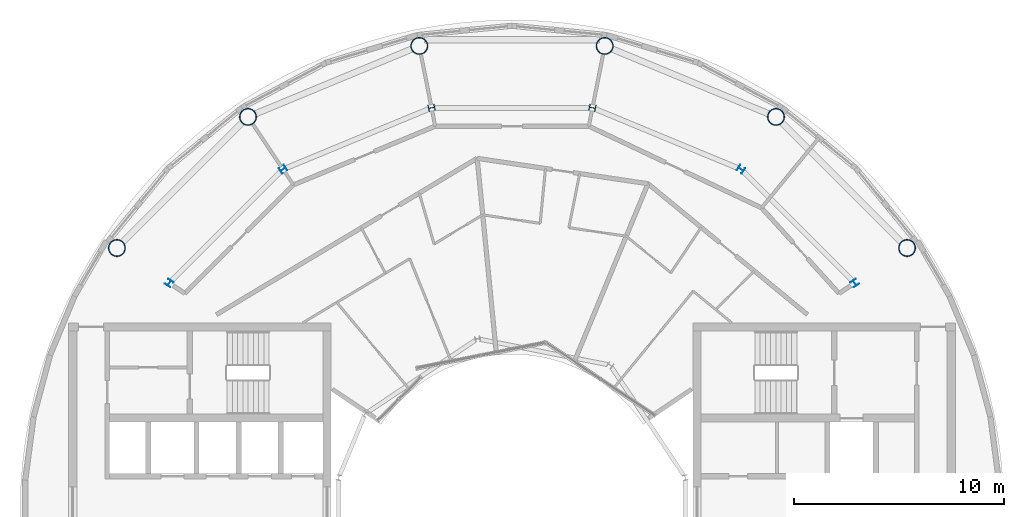
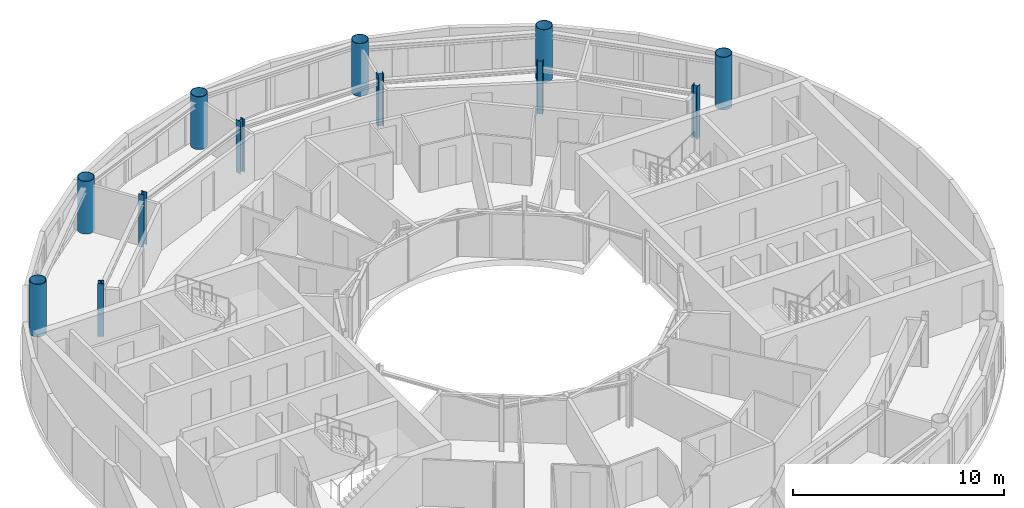
# One storey, part 4 of 17: 12 columns.
"""IFC4 building model written with IfcOpenShell, lengths in metres."""

from ifc_helpers import new_model, si_unit, direction, frame, origin, origin_2d, place, context, subcontext, project, spatial, hollow_circle, i_section, extrude, material, material_profile, profile_set, type_object, element, save


model = new_model("IFC4")

# Units and contexts
model_context = context("Model", 3, precision=1e-05, world=origin(), true_north=direction((0.0, 1.0)))
body_context = subcontext(model_context, "Body", "Model", "MODEL_VIEW")
ifc_project = project(units=[si_unit("LENGTHUNIT", "METRE"), si_unit("AREAUNIT", "SQUARE_METRE"), si_unit("VOLUMEUNIT", "CUBIC_METRE"), si_unit("PLANEANGLEUNIT", "RADIAN"), si_unit("MASSUNIT", "GRAM", prefix="KILO")], contexts=[model_context])

# Site, building, storey
site_placement = place(None, origin())
site = spatial("IfcSite", under=ifc_project, at=site_placement, CompositionType="ELEMENT")
building_placement = place(site_placement, origin())
building = spatial("IfcBuilding", under=site, at=building_placement, Name="Maasbend Ring Residences", CompositionType="ELEMENT")
storey_placement = place(building_placement, frame((0.0, 0.0, 249.300048828125)))
storey = spatial("IfcBuildingStorey", under=building, at=storey_placement, Name="L72", CompositionType="ELEMENT", Elevation=249.300048828125)

# Columns
ifc_material_1 = material(Name="Composite concrete-filled steel tube S460NH / C80/95", Category="concrete")
ifc_material_profile_1 = material_profile(ifc_material_1, hollow_circle(Radius=0.406494140625, WallThickness=0.030029296875, at=origin_2d()), Name="Composite tube column CHS 813x30")
ifc_profile_set_1 = profile_set([ifc_material_profile_1], Name="Composite concrete-filled steel tube S460NH / C80/95")
column_type_1 = type_object("IfcColumnType", Name="Composite tube column CHS 813x30", PredefinedType="COLUMN", material=ifc_profile_set_1)
for number, where, z_axis, x_axis, name in (
    (1, (18.791259765625, 12.555908203125, 0.0), (0.0, 0.0, 1.0), (1.0, 0.0, 0.0), "Outer column R2"),
    (2, (12.555908203125, 18.791259765625, 0.0), (0.0, 0.0, 1.0), (1.0, 0.0, 0.0), "Outer column R3"),
    (3, (4.408935546875, 22.165771484375, 0.0), (0.0, 0.0, 1.0), (1.0, 0.0, 0.0), "Outer column R4"),
    (4, (-4.408935546875, 22.165771484375, 0.0), (0.0, 0.0, 1.0), (1.0, 0.0, 0.0), "Outer column R5"),
    (5, (-12.555908203125, 18.791259765625, 0.0), (0.0, 0.0, 1.0), (1.0, 0.0, 0.0), "Outer column R6"),
    (6, (-18.791259765625, 12.555908203125, 0.0), (0.0, 0.0, 1.0), (1.0, 0.0, 0.0), "Outer column R7"),
):
    element("IfcColumn", number, at=place(storey_placement, frame(where, z_axis=z_axis, x_axis=x_axis)), inside=storey, type_object=column_type_1, Name=name, PredefinedType="COLUMN", context=body_context, shape_type="SweptSolid", body=[
        extrude(hollow_circle(Radius=0.406494140625, WallThickness=0.030029296875, at=origin_2d()), origin(), (0.0, 0.0, 1.0), 3.050048828125),
    ])
ifc_material_2 = material(Name="Steel S355J2", Category="steel")
ifc_material_profile_2 = material_profile(ifc_material_2, i_section(OverallWidth=0.300048828125, OverallDepth=0.300048828125, WebThickness=0.010986328125, FlangeThickness=0.01904296875, FilletRadius=0.027099609375, at=origin_2d()), Name="HEB 300")
ifc_profile_set_2 = profile_set([ifc_material_profile_2], Name="Steel S355J2")
column_type_2 = type_object("IfcColumnType", Name="Steel column HEB 300", PredefinedType="COLUMN", material=ifc_profile_set_2)
for number, where, z_axis, x_axis, name in (
    (7, (16.296875, 10.88916015625, 0.0), (0.0, 0.0, 1.0), (0.831469612303, 0.55557023302, 0.0), "Corridor ring column R2"),
    (8, (10.88916015625, 16.296875, 0.0), (0.0, 0.0, 1.0), (0.55557023302, 0.831469612303, 0.0), "Corridor ring column R3"),
    (9, (3.82373046875, 19.223388671875, 0.0), (0.0, 0.0, 1.0), (0.195090322016, 0.980785280403, 0.0), "Corridor ring column R4"),
    (10, (-3.82373046875, 19.223388671875, 0.0), (0.0, 0.0, 1.0), (-0.195090322016, 0.980785280403, 0.0), "Corridor ring column R5"),
    (11, (-10.88916015625, 16.296875, 0.0), (0.0, 0.0, 1.0), (-0.55557023302, 0.831469612303, 0.0), "Corridor ring column R6"),
    (12, (-16.296875, 10.88916015625, 0.0), (0.0, 0.0, 1.0), (-0.831469612303, 0.55557023302, 0.0), "Corridor ring column R7"),
):
    element("IfcColumn", number, at=place(storey_placement, frame(where, z_axis=z_axis, x_axis=x_axis)), inside=storey, type_object=column_type_2, Name=name, PredefinedType="COLUMN", context=body_context, shape_type="SweptSolid", body=[
        extrude(i_section(OverallWidth=0.300048828125, OverallDepth=0.300048828125, WebThickness=0.010986328125, FlangeThickness=0.01904296875, FilletRadius=0.027099609375, at=origin_2d()), origin(), (0.0, 0.0, 1.0), 3.050048828125),
    ])

save(model, "model.ifc")
